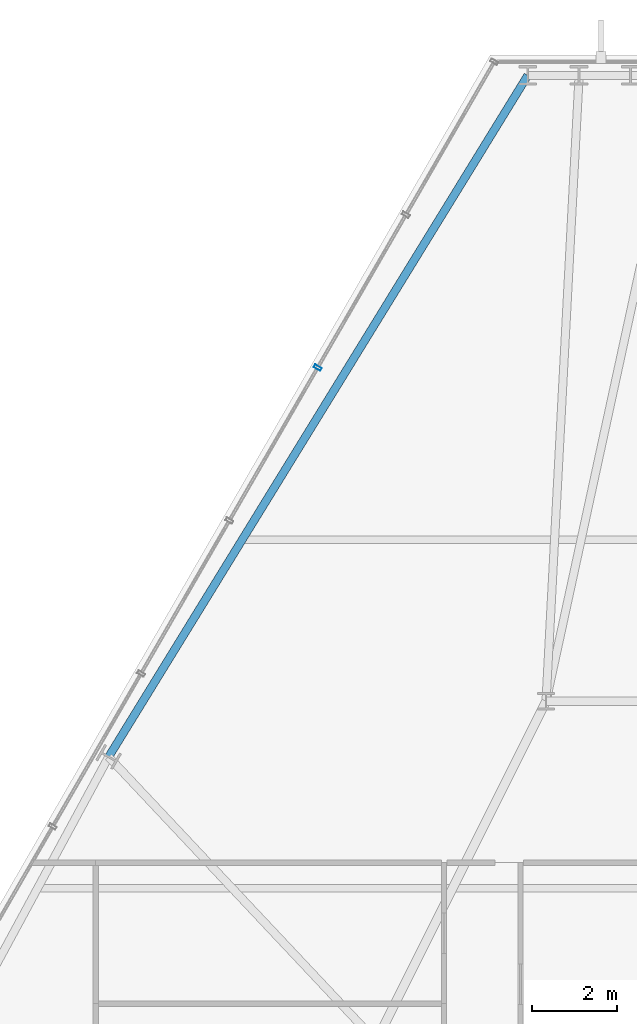
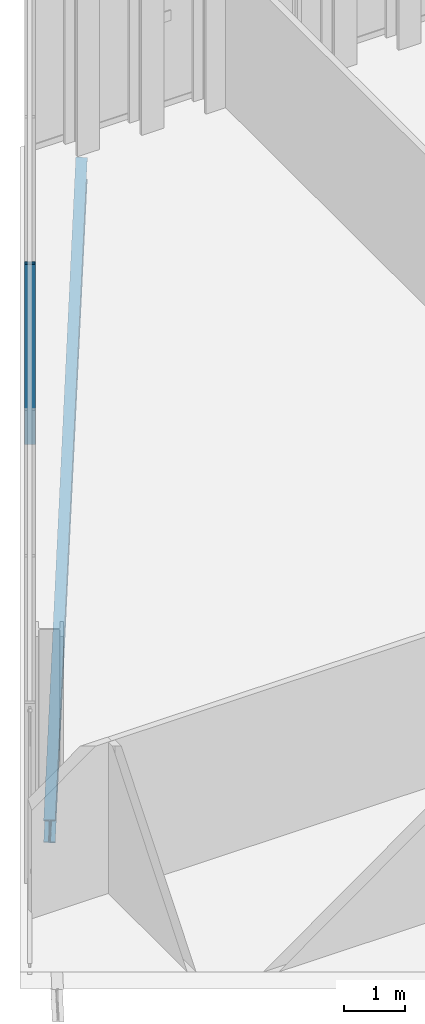
# One storey, part 22 of 35: 1 beam, 1 member, 1 element without a shape of its own.
"""IFC4 building model written with IfcOpenShell, lengths in metres."""

from ifc_helpers import new_model, si_unit, direction, frame, origin, origin_2d, place, context, subcontext, project, spatial, hollow_rectangle, i_section, extrude, material, layer, layer_set, material_profile, profile_set, type_object, element, aggregate, save


model = new_model("IFC4")

# Units and contexts
model_context = context("Model", 3, precision=1e-05, world=origin(), true_north=direction((0.0, 1.0)))
body_context = subcontext(model_context, "Body", "Model", "MODEL_VIEW")
ifc_project = project(units=[si_unit("LENGTHUNIT", "METRE"), si_unit("AREAUNIT", "SQUARE_METRE"), si_unit("VOLUMEUNIT", "CUBIC_METRE"), si_unit("PLANEANGLEUNIT", "RADIAN"), si_unit("MASSUNIT", "GRAM", prefix="KILO")], contexts=[model_context])

# Site, building, storey
site_placement = place(None, origin())
site = spatial("IfcSite", under=ifc_project, at=site_placement, CompositionType="ELEMENT")
building_placement = place(site_placement, origin())
building = spatial("IfcBuilding", under=site, at=building_placement, Name="Ndaravel Arena Tower", CompositionType="ELEMENT")
storey_placement = place(building_placement, frame((0.0, 0.0, 176.39990234375)))
storey = spatial("IfcBuildingStorey", under=building, at=storey_placement, Name="L42", CompositionType="ELEMENT", Elevation=176.39990234375)

# Beam
ifc_material_1 = material(Name="Steel S355", Category="steel")
ifc_material_profile_1 = material_profile(ifc_material_1, i_section(OverallWidth=0.18994140625, OverallDepth=0.449951171875, WebThickness=0.009521484375, FlangeThickness=0.0146484375, FilletRadius=0.02099609375, at=origin_2d()), Name="IPE 450")
ifc_profile_set_1 = profile_set([ifc_material_profile_1], Name="Steel S355")
beam_type = type_object("IfcBeamType", Name="BM-SPAN-IPE450", PredefinedType="SPANDREL", material=ifc_profile_set_1)
beam_placement = place(storey_placement, frame((37.770263671875, 45.92822265625, -0.44482421875), z_axis=(-0.523878923011, -0.851792741238, 0.0), x_axis=(0.851792741238, -0.523878923011, 0.0)))
element("IfcBeam", 1, at=beam_placement, inside=storey, type_object=beam_type, Name="L42 Perimeter Spandrel Beam SP-18", PredefinedType="SPANDREL", context=body_context, shape_type="SweptSolid", body=[
    extrude(i_section(OverallWidth=0.18994140625, OverallDepth=0.449951171875, WebThickness=0.009521484375, FlangeThickness=0.0146484375, FilletRadius=0.02099609375, at=origin_2d()), origin(), (0.0, 0.0, 1.0), 18.828369140625),
])

# Curtain wall, member
ifc_material_2 = material(Name="Aluminium", Category="aluminium")
ifc_layer = layer(ifc_material_2, 0.179931640625)
ifc_layer_set = layer_set([ifc_layer], Name="Aluminium")
curtain_wall_type = type_object("IfcCurtainWallType", Name="CW-SYS-03", PredefinedType="NOTDEFINED", material=ifc_layer_set)
curtain_wall_placement = place(storey_placement, origin())
curtain_wall = element("IfcCurtainWall", 2, at=curtain_wall_placement, inside=storey, type_object=curtain_wall_type, Name="L42 Faceted Crystal Curtain Wall CW-L42-E05", PredefinedType="NOTDEFINED")
ifc_material_3 = material(Name="Aluminium", Category="aluminium")
ifc_material_profile_2 = material_profile(ifc_material_3, hollow_rectangle(XDim=0.074951171875, YDim=0.179931640625, WallThickness=0.00390625, at=origin_2d()), Name="CW MULLION 75x180x4")
ifc_profile_set_2 = profile_set([ifc_material_profile_2], Name="Aluminium")
member_type = type_object("IfcMemberType", Name="MEM-CW-MUL180", PredefinedType="MULLION", material=ifc_profile_set_2)
member_placement = place(storey_placement, frame((32.824951171875, 39.04931640625, 0.0), z_axis=(0.0, 0.0, 1.0), x_axis=(-0.5, -0.866025403784, 0.0)))
member = element("IfcMember", 3, at=member_placement, type_object=member_type, Name="CW-L42-E05 Mullion 02", PredefinedType="MULLION", context=body_context, shape_type="SweptSolid", body=[
    extrude(hollow_rectangle(XDim=0.074951171875, YDim=0.179931640625, WallThickness=0.00390625, at=origin_2d()), origin(), (0.0, 0.0, 1.0), 3.580078125),
])
aggregate(curtain_wall, [member])

save(model, "model.ifc")
